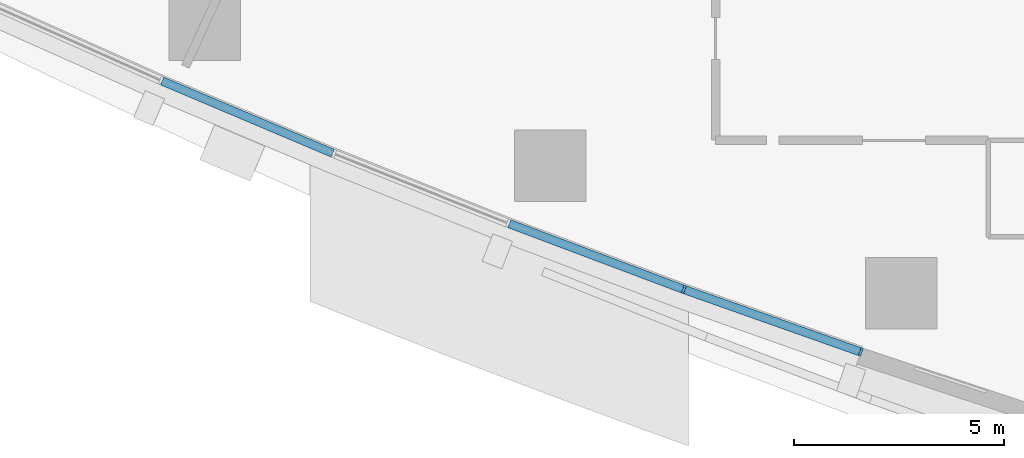
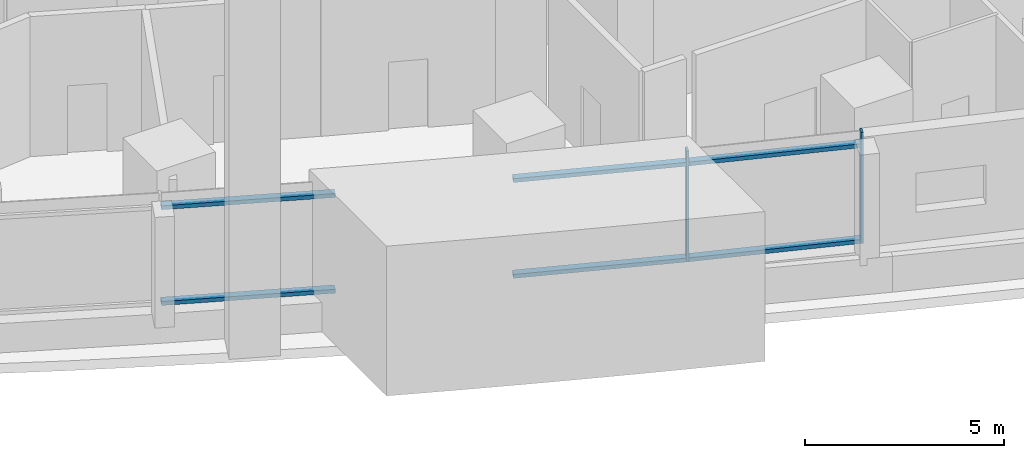
# One storey, part 3 of 17: 8 members, 2 elements without a shape of their own.
"""IFC4 building model written with IfcOpenShell, lengths in metres."""

from ifc_helpers import new_model, si_unit, direction, frame, origin, origin_2d, place, context, subcontext, project, spatial, rectangle, extrude, material, layer, layer_set, material_profile, profile_set, type_object, element, aggregate, save


model = new_model("IFC4")

# Units and contexts
model_context = context("Model", 3, precision=1e-05, world=origin(), true_north=direction((0.0, 1.0)))
body_context = subcontext(model_context, "Body", "Model", "MODEL_VIEW")
ifc_project = project(units=[si_unit("LENGTHUNIT", "METRE"), si_unit("AREAUNIT", "SQUARE_METRE"), si_unit("VOLUMEUNIT", "CUBIC_METRE"), si_unit("PLANEANGLEUNIT", "RADIAN"), si_unit("MASSUNIT", "GRAM", prefix="KILO")], contexts=[model_context])

# Site, building, storey
site_placement = place(None, origin())
site = spatial("IfcSite", under=ifc_project, at=site_placement, CompositionType="ELEMENT")
building_placement = place(site_placement, origin())
building = spatial("IfcBuilding", under=site, at=building_placement, Name="Ostrand Prow Hotel Tower", CompositionType="ELEMENT")
storey_placement = place(building_placement, frame((0.0, 0.0, 80.300048828125)))
storey = spatial("IfcBuildingStorey", under=building, at=storey_placement, Name="L18", CompositionType="ELEMENT", Elevation=80.300048828125)

# Curtain wall, members
ifc_material_1 = material(Name="Insulated glass in bronze anodised frame", Category="glass")
ifc_layer = layer(ifc_material_1, 0.199951171875)
ifc_layer_set = layer_set([ifc_layer], Name="Insulated glass in bronze anodised frame")
curtain_wall_type = type_object("IfcCurtainWallType", Name="Sky lobby full-height curtain wall", PredefinedType="NOTDEFINED", material=ifc_layer_set)
curtain_wall_1_placement = place(storey_placement, origin())
curtain_wall_1 = element("IfcCurtainWall", 1, at=curtain_wall_1_placement, inside=storey, type_object=curtain_wall_type, Name="CW3 run CWS5", PredefinedType="NOTDEFINED")
ifc_material_2 = material(Name="Bronze anodised aluminium", Category="aluminium")
ifc_material_profile_1 = material_profile(ifc_material_2, rectangle(XDim=0.199951171875, YDim=0.06005859375, at=origin_2d()), Name="Mullion 60x200 bronze anodised aluminium")
ifc_profile_set_1 = profile_set([ifc_material_profile_1], Name="Bronze anodised aluminium")
member_type_1 = type_object("IfcMemberType", Name="Mullion 60x200 bronze anodised aluminium", PredefinedType="MULLION", material=ifc_profile_set_1)
member_1_placement = place(storey_placement, frame((47.390869140625, -24.202880859375, 0.89990234375), z_axis=(0.0, 0.0, 1.0), x_axis=(0.333495894542, 0.942751551748, 0.0)))
member_1 = element("IfcMember", 2, at=member_1_placement, type_object=member_type_1, Name="CW3 mullion 2", PredefinedType="MULLION", context=body_context, shape_type="SweptSolid", body=[
    extrude(rectangle(XDim=0.199951171875, YDim=0.06005859375, at=origin_2d()), origin(), (0.0, 0.0, 1.0), 3.400146484375),
])
member_2_placement = place(storey_placement, frame((51.601318359375, -25.692138671875, 0.89990234375), z_axis=(0.0, 0.0, 1.0), x_axis=(0.333495894542, 0.942751551748, 0.0)))
member_2 = element("IfcMember", 3, at=member_2_placement, type_object=member_type_1, Name="CW3 mullion 3", PredefinedType="MULLION", context=body_context, shape_type="SweptSolid", body=[
    extrude(rectangle(XDim=0.199951171875, YDim=0.06005859375, at=origin_2d()), origin(), (0.0, 0.0, 1.0), 3.400146484375),
])

curtain_wall_2_placement = place(storey_placement, origin())
curtain_wall_2 = element("IfcCurtainWall", 4, at=curtain_wall_2_placement, inside=storey, type_object=curtain_wall_type, Name="CW3 run CWS4", PredefinedType="NOTDEFINED")
ifc_material_3 = material(Name="Bronze anodised aluminium", Category="aluminium")
ifc_material_profile_2 = material_profile(ifc_material_3, rectangle(XDim=0.199951171875, YDim=0.1201171875, at=origin_2d()), Name="Transom 120x200 bronze anodised aluminium")
ifc_profile_set_2 = profile_set([ifc_material_profile_2], Name="Bronze anodised aluminium")
member_type_2 = type_object("IfcMemberType", Name="Transom 120x200 bronze anodised aluminium", PredefinedType="USERDEFINED", material=ifc_profile_set_2)
member_3_placement = place(storey_placement, frame((34.978271484375, -19.24462890625, 0.9599609375), z_axis=(0.921006250528, -0.389547797438, 0.0), x_axis=(0.389547797438, 0.921006250528, 0.0)))
member_3 = element("IfcMember", 5, at=member_3_placement, type_object=member_type_2, Name="CW3 transom 1.1", ObjectType="TRANSOM", PredefinedType="USERDEFINED", context=body_context, shape_type="SweptSolid", body=[
    extrude(rectangle(XDim=0.199951171875, YDim=0.1201171875, at=origin_2d()), origin(), (0.0, 0.0, 1.0), 4.406005859375),
])
member_4_placement = place(storey_placement, frame((34.978271484375, -19.24462890625, 3.89990234375), z_axis=(0.921006250528, -0.389547797438, 0.0), x_axis=(0.389547797438, 0.921006250528, 0.0)))
member_4 = element("IfcMember", 6, at=member_4_placement, type_object=member_type_2, Name="CW3 transom 1.2", ObjectType="TRANSOM", PredefinedType="USERDEFINED", context=body_context, shape_type="SweptSolid", body=[
    extrude(rectangle(XDim=0.199951171875, YDim=0.1201171875, at=origin_2d()), origin(), (0.0, 0.0, 1.0), 4.406005859375),
])
aggregate(curtain_wall_2, [member_3, member_4])

# Member
member_5_placement = place(storey_placement, frame((43.2392578125, -22.639892578125, 0.9599609375), z_axis=(0.935868398429, -0.352349742191, 0.0), x_axis=(0.352349742191, 0.935868398429, 0.0)))
member_5 = element("IfcMember", 7, at=member_5_placement, type_object=member_type_2, Name="CW3 transom 1.1", ObjectType="TRANSOM", PredefinedType="USERDEFINED", context=body_context, shape_type="SweptSolid", body=[
    extrude(rectangle(XDim=0.199951171875, YDim=0.1201171875, at=origin_2d()), origin(), (0.0, 0.0, 1.0), 4.406005859375),
])

member_6_placement = place(storey_placement, frame((43.2392578125, -22.639892578125, 3.89990234375), z_axis=(0.935868398429, -0.352349742191, 0.0), x_axis=(0.352349742191, 0.935868398429, 0.0)))
member_6 = element("IfcMember", 8, at=member_6_placement, type_object=member_type_2, Name="CW3 transom 1.2", ObjectType="TRANSOM", PredefinedType="USERDEFINED", context=body_context, shape_type="SweptSolid", body=[
    extrude(rectangle(XDim=0.199951171875, YDim=0.1201171875, at=origin_2d()), origin(), (0.0, 0.0, 1.0), 4.406005859375),
])

member_7_placement = place(storey_placement, frame((47.419189453125, -24.212890625, 0.9599609375), z_axis=(0.942763014139, -0.333463490013, 0.0), x_axis=(0.333463490013, 0.942763014139, 0.0)))
member_7 = element("IfcMember", 9, at=member_7_placement, type_object=member_type_2, Name="CW3 transom 2.1", ObjectType="TRANSOM", PredefinedType="USERDEFINED", context=body_context, shape_type="SweptSolid", body=[
    extrude(rectangle(XDim=0.199951171875, YDim=0.1201171875, at=origin_2d()), origin(), (0.0, 0.0, 1.0), 4.406005859375),
])

member_8_placement = place(storey_placement, frame((47.419189453125, -24.212890625, 3.89990234375), z_axis=(0.942763014139, -0.333463490013, 0.0), x_axis=(0.333463490013, 0.942763014139, 0.0)))
member_8 = element("IfcMember", 10, at=member_8_placement, type_object=member_type_2, Name="CW3 transom 2.2", ObjectType="TRANSOM", PredefinedType="USERDEFINED", context=body_context, shape_type="SweptSolid", body=[
    extrude(rectangle(XDim=0.199951171875, YDim=0.1201171875, at=origin_2d()), origin(), (0.0, 0.0, 1.0), 4.406005859375),
])

aggregate(curtain_wall_1, [member_1, member_2, member_5, member_6, member_7, member_8])

save(model, "model.ifc")
